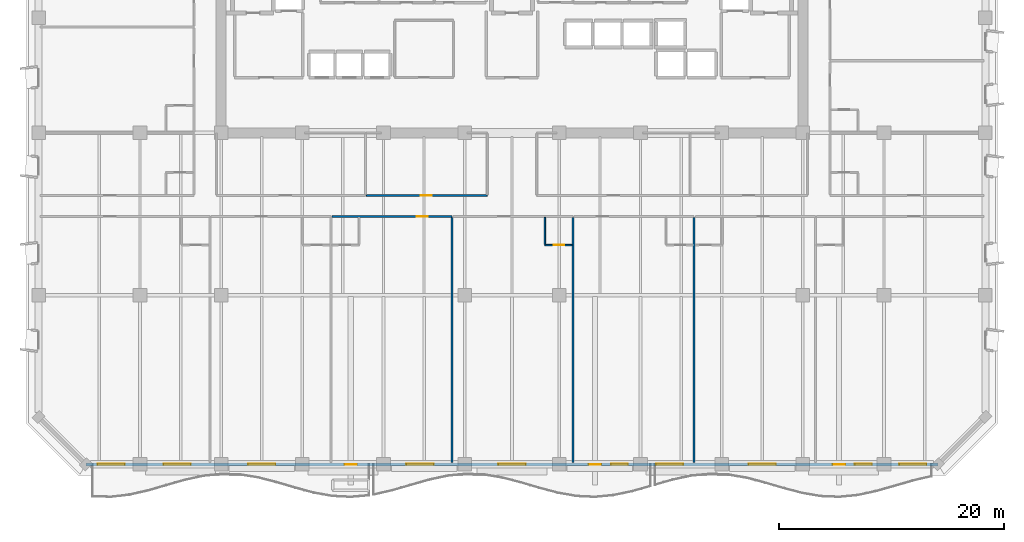
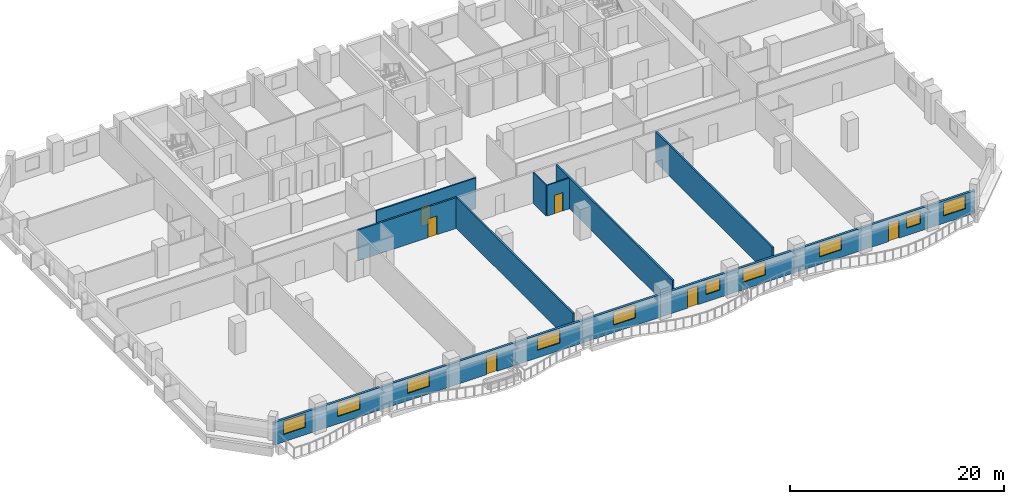
# One storey, part 5 of 15: 10 windows, 8 walls, 6 doors, 16 openings.
"""IFC4 building model written with IfcOpenShell, lengths in metres."""

from ifc_helpers import new_model, si_unit, direction, frame, frame_2d, origin, place, context, subcontext, project, spatial, rectangle, extrude, material, layer, layer_set, type_object, element, fill, save


model = new_model("IFC4")

# Units and contexts
model_context = context("Model", 3, precision=1e-05, world=origin(), true_north=direction((0.0, 1.0)))
body_context = subcontext(model_context, "Body", "Model", "MODEL_VIEW")
ifc_project = project(units=[si_unit("LENGTHUNIT", "METRE"), si_unit("AREAUNIT", "SQUARE_METRE"), si_unit("VOLUMEUNIT", "CUBIC_METRE"), si_unit("PLANEANGLEUNIT", "RADIAN"), si_unit("MASSUNIT", "GRAM", prefix="KILO")], contexts=[model_context])

# Site, building, storey
site_placement = place(None, origin())
site = spatial("IfcSite", under=ifc_project, at=site_placement, CompositionType="ELEMENT")
building_placement = place(site_placement, origin())
building = spatial("IfcBuilding", under=site, at=building_placement, Name="Kaelvorn Grand Hotel", CompositionType="ELEMENT")
storey_placement = place(building_placement, frame((0.0, 0.0, 104.300048828125)))
storey = spatial("IfcBuildingStorey", under=building, at=storey_placement, Name="L24", CompositionType="ELEMENT", Elevation=104.300048828125)

# Wall, openings, doors, windows
ifc_material_1 = material(Name="Concrete C40/50", Category="concrete")
ifc_layer_1 = layer(ifc_material_1, 0.260009765625)
ifc_layer_set_1 = layer_set([ifc_layer_1], Name="Concrete C40/50")
wall_type_1 = type_object("IfcWallType", Name="WL-EXT-260-C40", PredefinedType="SOLIDWALL", material=ifc_layer_set_1)
wall_1_placement = place(storey_placement, frame((4.199951171875, 0.0, 0.0), z_axis=(0.0, 0.0, 1.0), x_axis=(1.0, 0.0, 0.0)))
wall_1 = element("IfcWall", 1, at=wall_1_placement, inside=storey, type_object=wall_type_1, Name="L24 Exterior Architectural Concrete Wall 01", PredefinedType="SOLIDWALL", context=body_context, shape_type="SweptSolid", body=[
    extrude(rectangle(XDim=75.60009765625, YDim=0.260009765625, at=frame_2d((37.800048828125, 0.0))), origin(), (0.0, 0.0, 1.0), 2.56005859375),
])
opening_1_placement = place(wall_1_placement, frame((22.94775390625, 0.0, 0.0)))
opening_1 = element("IfcOpeningElement", 2, at=opening_1_placement, cuts=wall_1, Name="Opening DE2", PredefinedType="OPENING", context=body_context, shape_type="SweptSolid", body=[
    extrude(rectangle(XDim=1.10009765625, YDim=2.14990234375, at=frame_2d((0.550048828125, 1.074951171875))), frame((0.0, 0.14013671875, 0.0), z_axis=(0.0, -1.0, 0.0), x_axis=(1.0, 0.0, 0.0)), (0.0, 0.0, 1.0), 0.280029296875),
])
opening_2_placement = place(wall_1_placement, frame((44.610107421875, 0.0, 0.0)))
opening_2 = element("IfcOpeningElement", 3, at=opening_2_placement, cuts=wall_1, Name="Opening DE2", PredefinedType="OPENING", context=body_context, shape_type="SweptSolid", body=[
    extrude(rectangle(XDim=1.10009765625, YDim=2.14990234375, at=frame_2d((0.550048828125, 1.074951171875))), frame((0.0, 0.14013671875, 0.0), z_axis=(0.0, -1.0, 0.0), x_axis=(1.0, 0.0, 0.0)), (0.0, 0.0, 1.0), 0.280029296875),
])
opening_3_placement = place(wall_1_placement, frame((66.272216796875, 0.0, 0.0)))
opening_3 = element("IfcOpeningElement", 4, at=opening_3_placement, cuts=wall_1, Name="Opening DE2", PredefinedType="OPENING", context=body_context, shape_type="SweptSolid", body=[
    extrude(rectangle(XDim=1.10009765625, YDim=2.14990234375, at=frame_2d((0.550048828125, 1.074951171875))), frame((0.0, 0.14013671875, 0.0), z_axis=(0.0, -1.0, 0.0), x_axis=(1.0, 0.0, 0.0)), (0.0, 0.0, 1.0), 0.280029296875),
])
opening_4_placement = place(wall_1_placement, frame((1.034912109375, 0.0, 0.85009765625)))
opening_4 = element("IfcOpeningElement", 5, at=opening_4_placement, cuts=wall_1, Name="Opening W6", PredefinedType="OPENING", context=body_context, shape_type="SweptSolid", body=[
    extrude(rectangle(XDim=2.39990234375, YDim=1.5, at=frame_2d((1.199951171875, 0.75))), frame((0.0, 0.14013671875, 0.0), z_axis=(0.0, -1.0, 0.0), x_axis=(1.0, 0.0, 0.0)), (0.0, 0.0, 1.0), 0.280029296875),
])
opening_5_placement = place(wall_1_placement, frame((6.896484375, 0.0, 0.85009765625)))
opening_5 = element("IfcOpeningElement", 6, at=opening_5_placement, cuts=wall_1, Name="Opening W6", PredefinedType="OPENING", context=body_context, shape_type="SweptSolid", body=[
    extrude(rectangle(XDim=2.39990234375, YDim=1.5, at=frame_2d((1.199951171875, 0.75))), frame((0.0, 0.14013671875, 0.0), z_axis=(0.0, -1.0, 0.0), x_axis=(1.0, 0.0, 0.0)), (0.0, 0.0, 1.0), 0.280029296875),
])
opening_6_placement = place(wall_1_placement, frame((14.39990234375, 0.0, 0.85009765625)))
opening_6 = element("IfcOpeningElement", 7, at=opening_6_placement, cuts=wall_1, Name="Opening W6", PredefinedType="OPENING", context=body_context, shape_type="SweptSolid", body=[
    extrude(rectangle(XDim=2.39990234375, YDim=1.5, at=frame_2d((1.199951171875, 0.75))), frame((0.0, 0.14013671875, 0.0), z_axis=(0.0, -1.0, 0.0), x_axis=(1.0, 0.0, 0.0)), (0.0, 0.0, 1.0), 0.280029296875),
])
opening_7_placement = place(wall_1_placement, frame((28.439453125, 0.0, 0.85009765625)))
opening_7 = element("IfcOpeningElement", 8, at=opening_7_placement, cuts=wall_1, Name="Opening W6", PredefinedType="OPENING", context=body_context, shape_type="SweptSolid", body=[
    extrude(rectangle(XDim=2.39990234375, YDim=1.5, at=frame_2d((1.199951171875, 0.75))), frame((0.0, 0.14013671875, 0.0), z_axis=(0.0, -1.0, 0.0), x_axis=(1.0, 0.0, 0.0)), (0.0, 0.0, 1.0), 0.280029296875),
])
opening_8_placement = place(wall_1_placement, frame((36.60009765625, 0.0, 0.85009765625)))
opening_8 = element("IfcOpeningElement", 9, at=opening_8_placement, cuts=wall_1, Name="Opening W6", PredefinedType="OPENING", context=body_context, shape_type="SweptSolid", body=[
    extrude(rectangle(XDim=2.39990234375, YDim=1.5, at=frame_2d((1.199951171875, 0.75))), frame((0.0, 0.14013671875, 0.0), z_axis=(0.0, -1.0, 0.0), x_axis=(1.0, 0.0, 0.0)), (0.0, 0.0, 1.0), 0.280029296875),
])
opening_9_placement = place(wall_1_placement, frame((46.590087890625, 0.0, 0.85009765625)))
opening_9 = element("IfcOpeningElement", 10, at=opening_9_placement, cuts=wall_1, Name="Opening W10", PredefinedType="OPENING", context=body_context, shape_type="SweptSolid", body=[
    extrude(rectangle(XDim=1.5, YDim=1.39990234375, at=frame_2d((0.75, 0.699951171875))), frame((0.0, 0.14013671875, 0.0), z_axis=(0.0, -1.0, 0.0), x_axis=(1.0, 0.0, 0.0)), (0.0, 0.0, 1.0), 0.280029296875),
])
opening_10_placement = place(wall_1_placement, frame((50.58251953125, 0.0, 0.85009765625)))
opening_10 = element("IfcOpeningElement", 11, at=opening_10_placement, cuts=wall_1, Name="Opening W6", PredefinedType="OPENING", context=body_context, shape_type="SweptSolid", body=[
    extrude(rectangle(XDim=2.39990234375, YDim=1.5, at=frame_2d((1.199951171875, 0.75))), frame((0.0, 0.14013671875, 0.0), z_axis=(0.0, -1.0, 0.0), x_axis=(1.0, 0.0, 0.0)), (0.0, 0.0, 1.0), 0.280029296875),
])
opening_11_placement = place(wall_1_placement, frame((58.800048828125, 0.0, 0.85009765625)))
opening_11 = element("IfcOpeningElement", 12, at=opening_11_placement, cuts=wall_1, Name="Opening W6", PredefinedType="OPENING", context=body_context, shape_type="SweptSolid", body=[
    extrude(rectangle(XDim=2.39990234375, YDim=1.5, at=frame_2d((1.199951171875, 0.75))), frame((0.0, 0.14013671875, 0.0), z_axis=(0.0, -1.0, 0.0), x_axis=(1.0, 0.0, 0.0)), (0.0, 0.0, 1.0), 0.280029296875),
])
opening_12_placement = place(wall_1_placement, frame((68.22119140625, 0.0, 0.85009765625)))
opening_12 = element("IfcOpeningElement", 13, at=opening_12_placement, cuts=wall_1, Name="Opening W10", PredefinedType="OPENING", context=body_context, shape_type="SweptSolid", body=[
    extrude(rectangle(XDim=1.5, YDim=1.39990234375, at=frame_2d((0.75, 0.699951171875))), frame((0.0, 0.14013671875, 0.0), z_axis=(0.0, -1.0, 0.0), x_axis=(1.0, 0.0, 0.0)), (0.0, 0.0, 1.0), 0.280029296875),
])
opening_13_placement = place(wall_1_placement, frame((72.1650390625, 0.0, 0.85009765625)))
opening_13 = element("IfcOpeningElement", 14, at=opening_13_placement, cuts=wall_1, Name="Opening W6", PredefinedType="OPENING", context=body_context, shape_type="SweptSolid", body=[
    extrude(rectangle(XDim=2.39990234375, YDim=1.5, at=frame_2d((1.199951171875, 0.75))), frame((0.0, 0.14013671875, 0.0), z_axis=(0.0, -1.0, 0.0), x_axis=(1.0, 0.0, 0.0)), (0.0, 0.0, 1.0), 0.280029296875),
])
ifc_material_2 = material(Name="Anodised Aluminium", Category="aluminium")
door_type_1 = type_object("IfcDoorType", Name="DR-EXT-BALC-1100x2150", OperationType="NOTDEFINED", PredefinedType="DOOR", material=ifc_material_2)
door_1_placement = place(opening_1_placement, origin())
door_1 = element("IfcDoor", 15, at=door_1_placement, inside=storey, type_object=door_type_1, Name="L24 Scalloped Balcony Glazed Door DE2-1", OperationType="SINGLE_SWING_RIGHT", OverallHeight=2.14990234375, OverallWidth=1.10009765625, PredefinedType="DOOR", context=body_context, shape_type="SweptSolid", body=[
    extrude(rectangle(XDim=1.10009765625, YDim=2.14990234375, at=frame_2d((0.550048828125, 1.074951171875))), frame((0.0, 0.02490234375, 0.0), z_axis=(0.0, -1.0, 0.0), x_axis=(1.0, 0.0, 0.0)), (0.0, 0.0, 1.0), 0.050048828125),
])
fill(opening_1, door_1)
door_2_placement = place(opening_2_placement, origin())
door_2 = element("IfcDoor", 16, at=door_2_placement, inside=storey, type_object=door_type_1, Name="L24 Scalloped Balcony Glazed Door DE2-2", OperationType="SINGLE_SWING_LEFT", OverallHeight=2.14990234375, OverallWidth=1.10009765625, PredefinedType="DOOR", context=body_context, shape_type="SweptSolid", body=[
    extrude(rectangle(XDim=1.10009765625, YDim=2.14990234375, at=frame_2d((0.550048828125, 1.074951171875))), frame((0.0, 0.02490234375, 0.0), z_axis=(0.0, -1.0, 0.0), x_axis=(1.0, 0.0, 0.0)), (0.0, 0.0, 1.0), 0.050048828125),
])
fill(opening_2, door_2)
door_3_placement = place(opening_3_placement, origin())
door_3 = element("IfcDoor", 17, at=door_3_placement, inside=storey, type_object=door_type_1, Name="L24 Scalloped Balcony Glazed Door DE2-3", OperationType="SINGLE_SWING_RIGHT", OverallHeight=2.14990234375, OverallWidth=1.10009765625, PredefinedType="DOOR", context=body_context, shape_type="SweptSolid", body=[
    extrude(rectangle(XDim=1.10009765625, YDim=2.14990234375, at=frame_2d((0.550048828125, 1.074951171875))), frame((0.0, 0.02490234375, 0.0), z_axis=(0.0, -1.0, 0.0), x_axis=(1.0, 0.0, 0.0)), (0.0, 0.0, 1.0), 0.050048828125),
])
fill(opening_3, door_3)
ifc_material_3 = material(Name="Laminated Low-E Glass", Category="glass")
window_type_1 = type_object("IfcWindowType", Name="WIN-COR-1500x1400", PartitioningType="SINGLE_PANEL", PredefinedType="WINDOW", material=ifc_material_3)
window_1_placement = place(opening_9_placement, origin())
window_1 = element("IfcWindow", 18, at=window_1_placement, inside=storey, type_object=window_type_1, Name="L24 South Guestroom Ribbon Window SR06", OverallHeight=1.39990234375, OverallWidth=1.5, PartitioningType="SINGLE_PANEL", PredefinedType="WINDOW", context=body_context, shape_type="SweptSolid", body=[
    extrude(rectangle(XDim=1.5, YDim=1.39990234375, at=frame_2d((0.75, 0.699951171875))), frame((0.0, 0.030029296875, 0.0), z_axis=(0.0, -1.0, 0.0), x_axis=(1.0, 0.0, 0.0)), (0.0, 0.0, 1.0), 0.06005859375),
])
fill(opening_9, window_1)
window_2_placement = place(opening_12_placement, origin())
window_2 = element("IfcWindow", 19, at=window_2_placement, inside=storey, type_object=window_type_1, Name="L24 South Guestroom Ribbon Window SR09", OverallHeight=1.39990234375, OverallWidth=1.5, PartitioningType="SINGLE_PANEL", PredefinedType="WINDOW", context=body_context, shape_type="SweptSolid", body=[
    extrude(rectangle(XDim=1.5, YDim=1.39990234375, at=frame_2d((0.75, 0.699951171875))), frame((0.0, 0.030029296875, 0.0), z_axis=(0.0, -1.0, 0.0), x_axis=(1.0, 0.0, 0.0)), (0.0, 0.0, 1.0), 0.06005859375),
])
fill(opening_12, window_2)
window_type_2 = type_object("IfcWindowType", Name="WIN-NTH-2400x1500", PartitioningType="SINGLE_PANEL", PredefinedType="WINDOW", material=ifc_material_3)
window_3_placement = place(opening_4_placement, origin())
window_3 = element("IfcWindow", 20, at=window_3_placement, inside=storey, type_object=window_type_2, Name="L24 South Guestroom Ribbon Window SR01", OverallHeight=1.5, OverallWidth=2.39990234375, PartitioningType="SINGLE_PANEL", PredefinedType="WINDOW", context=body_context, shape_type="SweptSolid", body=[
    extrude(rectangle(XDim=2.39990234375, YDim=1.5, at=frame_2d((1.199951171875, 0.75))), frame((0.0, 0.030029296875, 0.0), z_axis=(0.0, -1.0, 0.0), x_axis=(1.0, 0.0, 0.0)), (0.0, 0.0, 1.0), 0.06005859375),
])
fill(opening_4, window_3)
window_4_placement = place(opening_5_placement, origin())
window_4 = element("IfcWindow", 21, at=window_4_placement, inside=storey, type_object=window_type_2, Name="L24 South Guestroom Ribbon Window SR02", OverallHeight=1.5, OverallWidth=2.39990234375, PartitioningType="SINGLE_PANEL", PredefinedType="WINDOW", context=body_context, shape_type="SweptSolid", body=[
    extrude(rectangle(XDim=2.39990234375, YDim=1.5, at=frame_2d((1.199951171875, 0.75))), frame((0.0, 0.030029296875, 0.0), z_axis=(0.0, -1.0, 0.0), x_axis=(1.0, 0.0, 0.0)), (0.0, 0.0, 1.0), 0.06005859375),
])
fill(opening_5, window_4)
window_5_placement = place(opening_6_placement, origin())
window_5 = element("IfcWindow", 22, at=window_5_placement, inside=storey, type_object=window_type_2, Name="L24 South Guestroom Ribbon Window SR03", OverallHeight=1.5, OverallWidth=2.39990234375, PartitioningType="SINGLE_PANEL", PredefinedType="WINDOW", context=body_context, shape_type="SweptSolid", body=[
    extrude(rectangle(XDim=2.39990234375, YDim=1.5, at=frame_2d((1.199951171875, 0.75))), frame((0.0, 0.030029296875, 0.0), z_axis=(0.0, -1.0, 0.0), x_axis=(1.0, 0.0, 0.0)), (0.0, 0.0, 1.0), 0.06005859375),
])
fill(opening_6, window_5)
window_6_placement = place(opening_7_placement, origin())
window_6 = element("IfcWindow", 23, at=window_6_placement, inside=storey, type_object=window_type_2, Name="L24 South Guestroom Ribbon Window SR04", OverallHeight=1.5, OverallWidth=2.39990234375, PartitioningType="SINGLE_PANEL", PredefinedType="WINDOW", context=body_context, shape_type="SweptSolid", body=[
    extrude(rectangle(XDim=2.39990234375, YDim=1.5, at=frame_2d((1.199951171875, 0.75))), frame((0.0, 0.030029296875, 0.0), z_axis=(0.0, -1.0, 0.0), x_axis=(1.0, 0.0, 0.0)), (0.0, 0.0, 1.0), 0.06005859375),
])
fill(opening_7, window_6)
window_7_placement = place(opening_8_placement, origin())
window_7 = element("IfcWindow", 24, at=window_7_placement, inside=storey, type_object=window_type_2, Name="L24 South Guestroom Ribbon Window SR05", OverallHeight=1.5, OverallWidth=2.39990234375, PartitioningType="SINGLE_PANEL", PredefinedType="WINDOW", context=body_context, shape_type="SweptSolid", body=[
    extrude(rectangle(XDim=2.39990234375, YDim=1.5, at=frame_2d((1.199951171875, 0.75))), frame((0.0, 0.030029296875, 0.0), z_axis=(0.0, -1.0, 0.0), x_axis=(1.0, 0.0, 0.0)), (0.0, 0.0, 1.0), 0.06005859375),
])
fill(opening_8, window_7)
window_8_placement = place(opening_10_placement, origin())
window_8 = element("IfcWindow", 25, at=window_8_placement, inside=storey, type_object=window_type_2, Name="L24 South Guestroom Ribbon Window SR07", OverallHeight=1.5, OverallWidth=2.39990234375, PartitioningType="SINGLE_PANEL", PredefinedType="WINDOW", context=body_context, shape_type="SweptSolid", body=[
    extrude(rectangle(XDim=2.39990234375, YDim=1.5, at=frame_2d((1.199951171875, 0.75))), frame((0.0, 0.030029296875, 0.0), z_axis=(0.0, -1.0, 0.0), x_axis=(1.0, 0.0, 0.0)), (0.0, 0.0, 1.0), 0.06005859375),
])
fill(opening_10, window_8)
window_9_placement = place(opening_11_placement, origin())
window_9 = element("IfcWindow", 26, at=window_9_placement, inside=storey, type_object=window_type_2, Name="L24 South Guestroom Ribbon Window SR08", OverallHeight=1.5, OverallWidth=2.39990234375, PartitioningType="SINGLE_PANEL", PredefinedType="WINDOW", context=body_context, shape_type="SweptSolid", body=[
    extrude(rectangle(XDim=2.39990234375, YDim=1.5, at=frame_2d((1.199951171875, 0.75))), frame((0.0, 0.030029296875, 0.0), z_axis=(0.0, -1.0, 0.0), x_axis=(1.0, 0.0, 0.0)), (0.0, 0.0, 1.0), 0.06005859375),
])
fill(opening_11, window_9)
window_10_placement = place(opening_13_placement, origin())
window_10 = element("IfcWindow", 27, at=window_10_placement, inside=storey, type_object=window_type_2, Name="L24 South Guestroom Ribbon Window SR10", OverallHeight=1.5, OverallWidth=2.39990234375, PartitioningType="SINGLE_PANEL", PredefinedType="WINDOW", context=body_context, shape_type="SweptSolid", body=[
    extrude(rectangle(XDim=2.39990234375, YDim=1.5, at=frame_2d((1.199951171875, 0.75))), frame((0.0, 0.030029296875, 0.0), z_axis=(0.0, -1.0, 0.0), x_axis=(1.0, 0.0, 0.0)), (0.0, 0.0, 1.0), 0.06005859375),
])
fill(opening_13, window_10)

# Wall, opening, door
ifc_material_4 = material(Name="Moisture-Resistant Tile & Stud Board")
ifc_layer_2 = layer(ifc_material_4, 0.125)
ifc_layer_set_2 = layer_set([ifc_layer_2], Name="Moisture-Resistant Tile & Stud Board")
wall_type_2 = type_object("IfcWallType", Name="WL-PART-125-WET", PredefinedType="PARTITIONING", material=ifc_layer_set_2)
wall_2_placement = place(storey_placement, frame((44.921630859375, 19.449951171875, 0.0), z_axis=(0.0, 0.0, 1.0), x_axis=(1.0, 0.0, 0.0)))
wall_2 = element("IfcWall", 28, at=wall_2_placement, inside=storey, type_object=wall_type_2, Name="L24 En-suite Bathroom L24-04 S Partition", PredefinedType="PARTITIONING", context=body_context, shape_type="SweptSolid", body=[
    extrude(rectangle(XDim=2.405029296875, YDim=0.125, at=frame_2d((1.20263671875, 0.0))), origin(), (0.0, 0.0, 1.0), 3.510009765625),
])
opening_14_placement = place(wall_2_placement, frame((0.800048828125, 0.0, 0.0)))
opening_14 = element("IfcOpeningElement", 29, at=opening_14_placement, cuts=wall_2, Name="Opening DI4", PredefinedType="OPENING", context=body_context, shape_type="SweptSolid", body=[
    extrude(rectangle(XDim=0.89990234375, YDim=2.10009765625, at=frame_2d((0.449951171875, 1.050048828125))), frame((0.0, 0.072509765625, 0.0), z_axis=(0.0, -1.0, 0.0), x_axis=(1.0, 0.0, 0.0)), (0.0, 0.0, 1.0), 0.14501953125),
])
ifc_material_5 = material(Name="Timber Veneer Leaf", Category="wood")
door_type_2 = type_object("IfcDoorType", Name="DR-INT-BATH-900x2100", OperationType="NOTDEFINED", PredefinedType="DOOR", material=ifc_material_5)
door_4_placement = place(opening_14_placement, origin())
door_4 = element("IfcDoor", 30, at=door_4_placement, inside=storey, type_object=door_type_2, Name="L24 En-suite Bathroom L24-04 Door", OperationType="SINGLE_SWING_LEFT", OverallHeight=2.10009765625, OverallWidth=0.89990234375, PredefinedType="DOOR", context=body_context, shape_type="SweptSolid", body=[
    extrude(rectangle(XDim=0.89990234375, YDim=2.10009765625, at=frame_2d((0.449951171875, 1.050048828125))), frame((0.0, 0.02490234375, 0.0), z_axis=(0.0, -1.0, 0.0), x_axis=(1.0, 0.0, 0.0)), (0.0, 0.0, 1.0), 0.050048828125),
])
fill(opening_14, door_4)

# Wall
wall_3_placement = place(storey_placement, frame((44.921630859375, 19.517578125, 0.0), z_axis=(0.0, 0.0, 1.0), x_axis=(0.0, 1.0, 0.0)))
element("IfcWall", 31, at=wall_3_placement, inside=storey, type_object=wall_type_2, Name="L24 En-suite Bathroom L24-04 W Partition", PredefinedType="PARTITIONING", context=body_context, shape_type="SweptSolid", body=[
    extrude(rectangle(XDim=2.387451171875, YDim=0.125, at=frame_2d((1.19384765625, 0.0))), origin(), (0.0, 0.0, 1.0), 3.510009765625),
])

# Wall, opening, door
ifc_material_6 = material(Name="Acoustic Gypsum & Stud Partition")
ifc_layer_3 = layer(ifc_material_6, 0.14990234375)
ifc_layer_set_3 = layer_set([ifc_layer_3], Name="Acoustic Gypsum & Stud Partition")
wall_type_3 = type_object("IfcWallType", Name="WL-PART-150-EI60", PredefinedType="PARTITIONING", material=ifc_layer_set_3)
wall_4_placement = place(storey_placement, frame((29.080078125, 23.85009765625, 0.0), z_axis=(0.0, 0.0, 1.0), x_axis=(1.0, 0.0, 0.0)))
wall_4 = element("IfcWall", 32, at=wall_4_placement, inside=storey, type_object=wall_type_3, Name="L24 Private Chef Kitchen S Partition", PredefinedType="PARTITIONING", context=body_context, shape_type="SweptSolid", body=[
    extrude(rectangle(XDim=10.719970703125, YDim=0.14990234375, at=frame_2d((5.35986328125, 0.0))), origin(), (0.0, 0.0, 1.0), 3.510009765625),
])
opening_15_placement = place(wall_4_placement, frame((4.820068359375, 0.0, 0.0)))
opening_15 = element("IfcOpeningElement", 33, at=opening_15_placement, cuts=wall_4, Name="Opening DI3", PredefinedType="OPENING", context=body_context, shape_type="SweptSolid", body=[
    extrude(rectangle(XDim=1.0, YDim=2.14990234375, at=frame_2d((0.5, 1.074951171875))), frame((0.0, 0.0849609375, 0.0), z_axis=(0.0, -1.0, 0.0), x_axis=(1.0, 0.0, 0.0)), (0.0, 0.0, 1.0), 0.169921875),
])
ifc_material_7 = material(Name="Timber Veneer Fire Leaf", Category="wood")
door_type_3 = type_object("IfcDoorType", Name="DR-INT-GUEST-1000x2150", OperationType="NOTDEFINED", PredefinedType="DOOR", material=ifc_material_7)
door_5_placement = place(opening_15_placement, origin())
door_5 = element("IfcDoor", 34, at=door_5_placement, inside=storey, type_object=door_type_3, Name="L24 Private Chef Kitchen Door", OperationType="SINGLE_SWING_LEFT", OverallHeight=2.14990234375, OverallWidth=1.0, PredefinedType="DOOR", context=body_context, shape_type="SweptSolid", body=[
    extrude(rectangle(XDim=1.0, YDim=2.14990234375, at=frame_2d((0.5, 1.074951171875))), frame((0.0, 0.02490234375, 0.0), z_axis=(0.0, -1.0, 0.0), x_axis=(1.0, 0.0, 0.0)), (0.0, 0.0, 1.0), 0.050048828125),
])
fill(opening_15, door_5)

ifc_layer_4 = layer(ifc_material_6, 0.179931640625)
ifc_layer_set_4 = layer_set([ifc_layer_4], Name="Acoustic Gypsum & Stud Partition")
wall_type_4 = type_object("IfcWallType", Name="WL-PART-180-EI60", PredefinedType="PARTITIONING", material=ifc_layer_set_4)
wall_5_placement = place(storey_placement, frame((26.03076171875, 22.0, 0.0), z_axis=(0.0, 0.0, 1.0), x_axis=(1.0, 0.0, 0.0)))
wall_5 = element("IfcWall", 35, at=wall_5_placement, inside=storey, type_object=wall_type_4, Name="L24 Deluxe Panoramic Suite L24-03 N Partition", PredefinedType="PARTITIONING", context=body_context, shape_type="SweptSolid", body=[
    extrude(rectangle(XDim=10.64794921875, YDim=0.179931640625, at=frame_2d((5.323974609375, 0.0))), origin(), (0.0, 0.0, 1.0), 3.510009765625),
])
opening_16_placement = place(wall_5_placement, frame((7.49853515625, 0.0, 0.0)))
opening_16 = element("IfcOpeningElement", 36, at=opening_16_placement, cuts=wall_5, Name="Opening DI3", PredefinedType="OPENING", context=body_context, shape_type="SweptSolid", body=[
    extrude(rectangle(XDim=1.0, YDim=2.14990234375, at=frame_2d((0.5, 1.074951171875))), frame((0.0, 0.10009765625, 0.0), z_axis=(0.0, -1.0, 0.0), x_axis=(1.0, 0.0, 0.0)), (0.0, 0.0, 1.0), 0.199951171875),
])
door_6_placement = place(opening_16_placement, origin())
door_6 = element("IfcDoor", 37, at=door_6_placement, inside=storey, type_object=door_type_3, Name="L24 Deluxe Panoramic Suite L24-03 Door", OperationType="SINGLE_SWING_RIGHT", OverallHeight=2.14990234375, OverallWidth=1.0, PredefinedType="DOOR", context=body_context, shape_type="SweptSolid", body=[
    extrude(rectangle(XDim=1.0, YDim=2.14990234375, at=frame_2d((0.5, 1.074951171875))), frame((0.0, 0.02490234375, 0.0), z_axis=(0.0, -1.0, 0.0), x_axis=(1.0, 0.0, 0.0)), (0.0, 0.0, 1.0), 0.050048828125),
])
fill(opening_16, door_6)

# Walls
for number, where, z_axis, x_axis, name in (
    (38, (36.6787109375, 0.14990234375, 0.0), (0.0, 0.0, 1.0), (0.0, 1.0, 0.0), "L24 Deluxe Panoramic Suite L24-03 E Partition"),
    (39, (47.421630859375, 0.14990234375, 0.0), (0.0, 0.0, 1.0), (0.0, 1.0, 0.0), "L24 Deluxe Panoramic Suite L24-04 E Partition"),
    (40, (58.16455078125, 0.14990234375, 0.0), (0.0, 0.0, 1.0), (0.0, 1.0, 0.0), "L24 Deluxe Panoramic Suite L24-05 E Partition"),
):
    element("IfcWall", number, at=place(storey_placement, frame(where, z_axis=z_axis, x_axis=x_axis)), inside=storey, type_object=wall_type_4, Name=name, PredefinedType="PARTITIONING", context=body_context, shape_type="SweptSolid", body=[
        extrude(rectangle(XDim=21.755126953125, YDim=0.179931640625, at=frame_2d((10.87744140625, 0.0))), origin(), (0.0, 0.0, 1.0), 3.510009765625),
    ])

save(model, "model.ifc")
